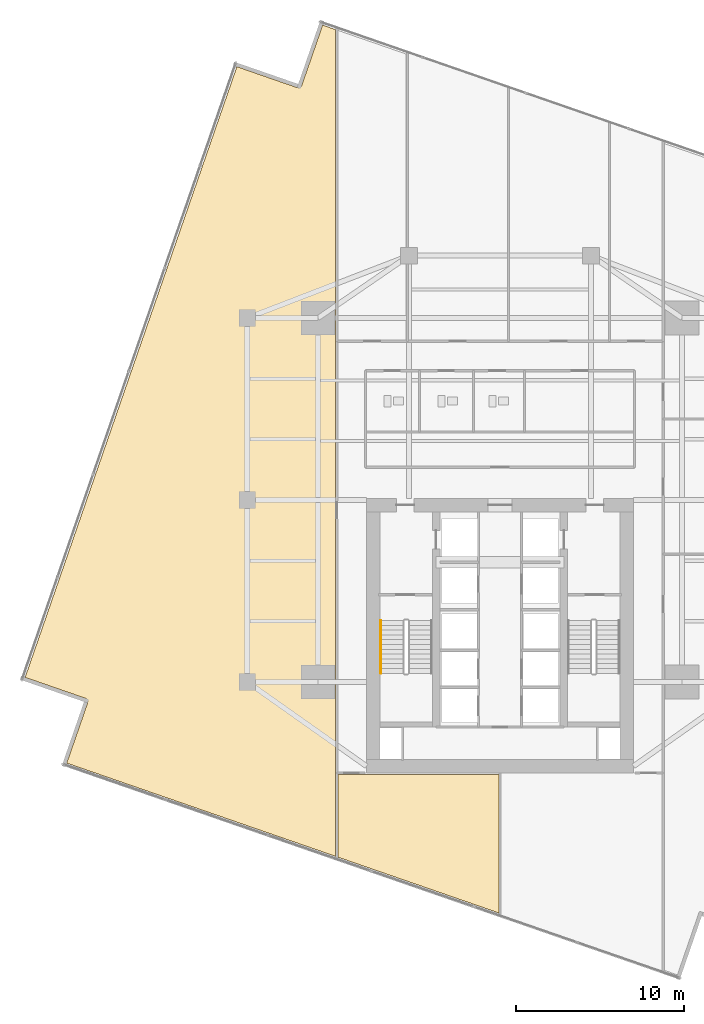
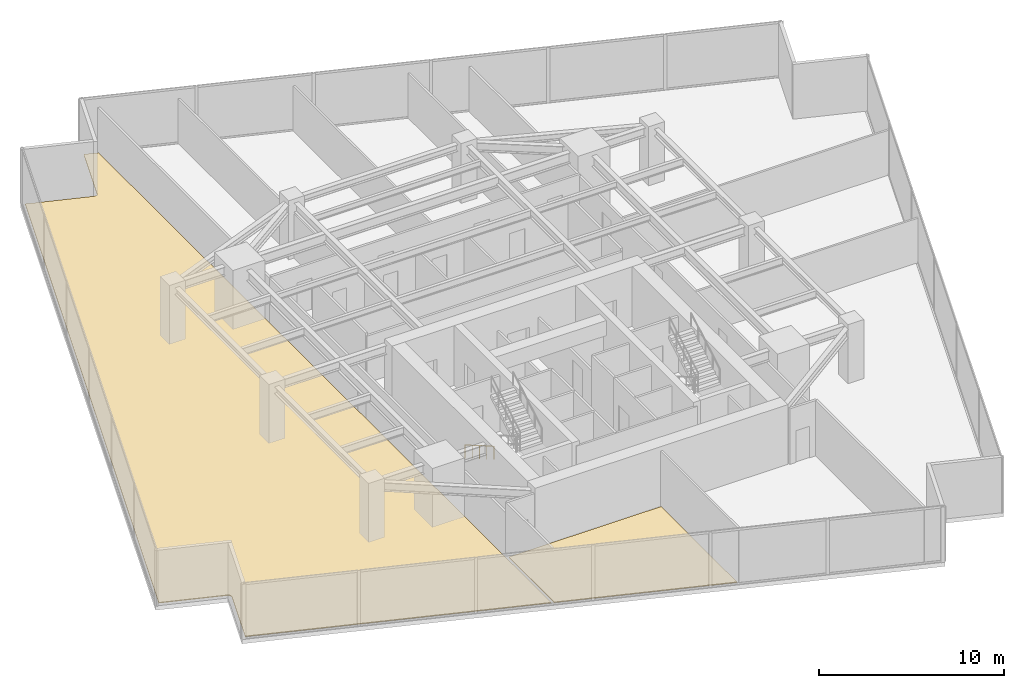
# One storey, part 25 of 28: 2 coverings, 1 railing.
"""IFC4 building model written with IfcOpenShell, lengths in metres."""

from ifc_helpers import new_model, si_unit, direction, frame, origin, origin_2d, place, context, subcontext, project, spatial, polyline, circle, outline, extrude, material, layer, layer_set, type_object, element, save


model = new_model("IFC4")

# Units and contexts
model_context = context("Model", 3, precision=1e-05, world=origin(), true_north=direction((0.0, 1.0)))
body_context = subcontext(model_context, "Body", "Model", "MODEL_VIEW")
ifc_project = project(units=[si_unit("LENGTHUNIT", "METRE"), si_unit("AREAUNIT", "SQUARE_METRE"), si_unit("VOLUMEUNIT", "CUBIC_METRE"), si_unit("PLANEANGLEUNIT", "RADIAN"), si_unit("MASSUNIT", "GRAM", prefix="KILO")], contexts=[model_context])

# Site, building, storey
site_placement = place(None, origin())
site = spatial("IfcSite", under=ifc_project, at=site_placement, CompositionType="ELEMENT")
building_placement = place(site_placement, origin())
building = spatial("IfcBuilding", under=site, at=building_placement, Name="Krantzveldt Concourse Tower", CompositionType="ELEMENT")
storey_placement = place(building_placement, frame((0.0, 0.0, 117.699951171875)))
storey = spatial("IfcBuildingStorey", under=building, at=storey_placement, Name="L28", CompositionType="ELEMENT", Elevation=117.699951171875)

# Coverings
ifc_material_1 = material(Name="Calcium-sulphate raised access floor panel", Category="flooring")
ifc_layer_1 = layer(ifc_material_1, 0.050048828125, Name="Calcium-sulphate raised access floor panel", Category="flooring")
ifc_layer_set_1 = layer_set([ifc_layer_1], Name="Calcium-sulphate raised access floor panel (COV-FLOOR-RAISED)")
covering_type = type_object("IfcCoveringType", Name="COV-FLOOR-RAISED", PredefinedType="FLOORING", material=ifc_layer_set_1)
covering_1_placement = place(storey_placement, origin())
element("IfcCovering", 1, at=covering_1_placement, inside=storey, type_object=covering_type, Name="FLR-SP-L28-WR1", PredefinedType="FLOORING", context=body_context, shape_type="SweptSolid", body=[
    extrude(outline(polyline([(10.2841796875, 11.083251953125), (11.522705078125, 14.65478515625), (11.528564453125, 14.675537109375), (11.53271484375, 14.696533203125), (11.53466796875, 14.71826171875), (11.534423828125, 14.73974609375), (11.531982421875, 14.76123046875), (11.527587890625, 14.7822265625), (11.521240234375, 14.802978515625), (11.5126953125, 14.82275390625), (11.50244140625, 14.841796875), (11.490234375, 14.859619140625), (11.476318359375, 14.876220703125), (11.4609375, 14.891357421875), (11.444091796875, 14.90478515625), (11.426025390625, 14.91650390625), (11.40673828125, 14.926513671875), (11.38671875, 14.9345703125), (7.8154296875, 16.173095703125), (20.38330078125, 52.415771484375), (23.95458984375, 51.177490234375), (23.975341796875, 51.17138671875), (23.99658203125, 51.167236328125), (24.01806640625, 51.16552734375), (24.039794921875, 51.16552734375), (24.061279296875, 51.16796875), (24.082275390625, 51.17236328125), (24.10302734375, 51.178955078125), (24.122802734375, 51.187255859375), (24.141845703125, 51.19775390625), (24.15966796875, 51.2099609375), (24.176025390625, 51.2236328125), (24.191162109375, 51.239013671875), (24.204833984375, 51.255859375), (24.216552734375, 51.27392578125), (24.2265625, 51.293212890625), (24.234619140625, 51.313232421875), (25.47314453125, 54.884521484375), (26.239990234375, 54.61865234375), (26.239990234375, 5.55029296875), (10.2841796875, 11.083251953125)])), origin(), (0.0, 0.0, 1.0), 0.050048828125),
])
covering_2_placement = place(storey_placement, origin())
element("IfcCovering", 2, at=covering_2_placement, inside=storey, type_object=covering_type, Name="FLR-SP-L28-SR1", PredefinedType="FLOORING", context=body_context, shape_type="SweptSolid", body=[
    extrude(outline(polyline([(35.929931640625, 2.190185546875), (26.39990234375, 5.494873046875), (26.39990234375, 10.419921875), (35.929931640625, 10.419921875), (35.929931640625, 2.190185546875)])), origin(), (0.0, 0.0, 1.0), 0.050048828125),
])

# Railing
ifc_material_2 = material(Name="Stainless steel 316L", Category="steel")
ifc_layer_2 = layer(ifc_material_2, 0.050048828125, Name="Stainless steel 316L", Category="steel")
ifc_layer_set_2 = layer_set([ifc_layer_2], Name="Stainless steel 316L (RL-HANDRAIL-920)")
railing_type = type_object("IfcRailingType", Name="RL-HANDRAIL-920", PredefinedType="HANDRAIL", material=ifc_layer_set_2)
railing_placement = place(storey_placement, frame((28.929931640625, 19.550048828125, 0.16455078125)))
element("IfcRailing", 3, at=railing_placement, inside=storey, type_object=railing_type, Name="L28 ST-1 stair handrail 1", PredefinedType="HANDRAIL", context=body_context, shape_type="SweptSolid", body=[
    extrude(circle(Radius=0.02392578125, at=origin_2d()), frame((0.0, 0.0, 0.8759765625), z_axis=(0.0, -0.865959834175, 0.500113552702), x_axis=(1.0, 0.0, 0.0)), (0.0, 0.0, 1.0), 3.620361328125),
    extrude(circle(Radius=0.02099609375, at=origin_2d()), origin(), (0.0, 0.0, 1.0), 0.851806640625),
    extrude(circle(Radius=0.02099609375, at=origin_2d()), frame((0.0, -0.78369140625, 0.45263671875)), (0.0, 0.0, 1.0), 0.851806640625),
    extrude(circle(Radius=0.02099609375, at=origin_2d()), frame((0.0, -1.5673828125, 0.9052734375)), (0.0, 0.0, 1.0), 0.851806640625),
    extrude(circle(Radius=0.02099609375, at=origin_2d()), frame((0.0, -2.351318359375, 1.35791015625)), (0.0, 0.0, 1.0), 0.851806640625),
    extrude(circle(Radius=0.02099609375, at=origin_2d()), frame((0.0, -3.135009765625, 1.810546875)), (0.0, 0.0, 1.0), 0.851806640625),
])

save(model, "model.ifc")
